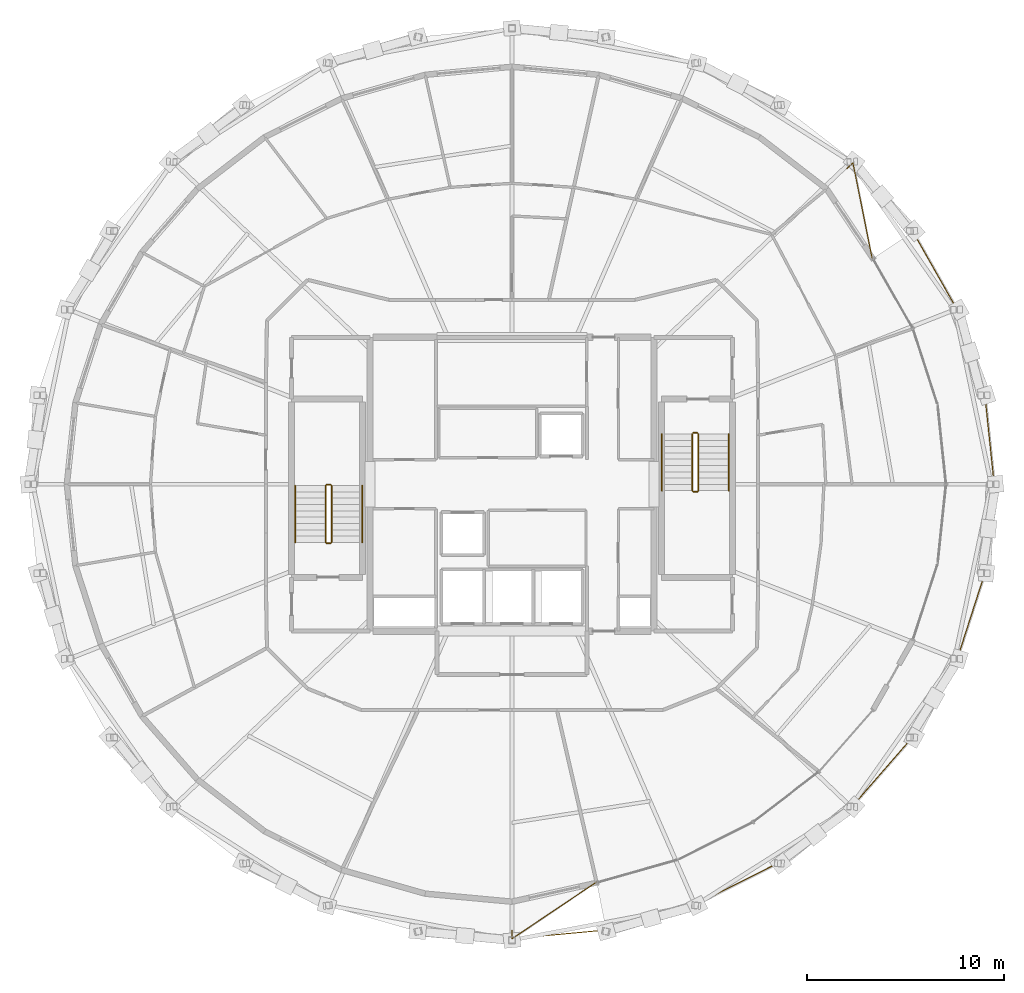
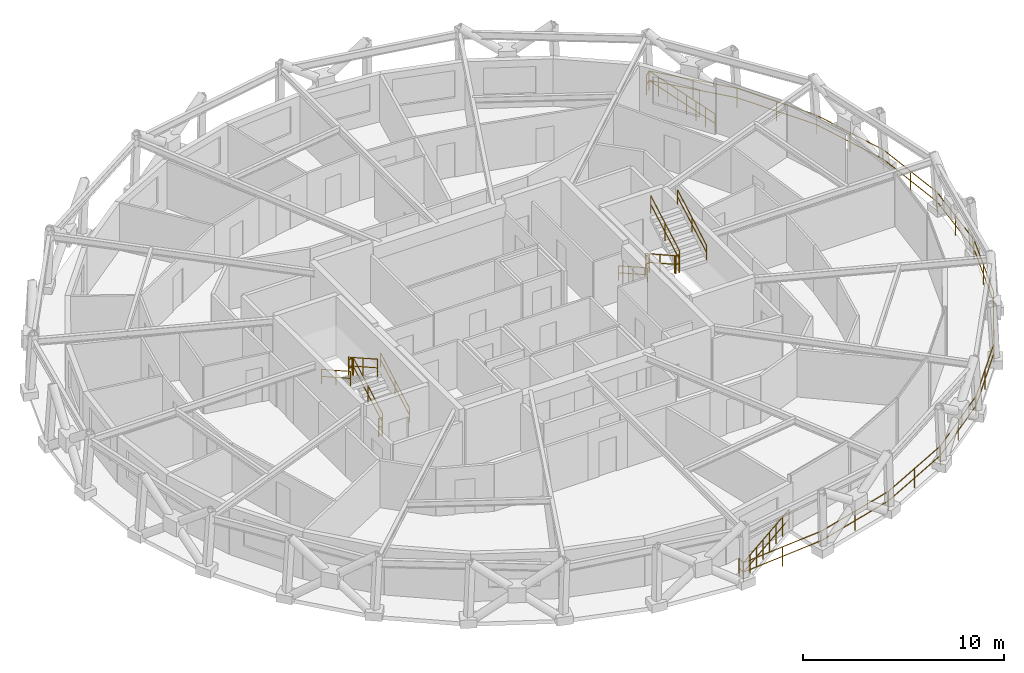
# One storey, part 17 of 17: 15 railings.
"""IFC4 building model written with IfcOpenShell, lengths in metres."""

from ifc_helpers import new_model, si_unit, direction, frame, origin, origin_2d, place, context, subcontext, project, spatial, circle, extrude, material, type_object, element, save


model = new_model("IFC4")

# Units and contexts
model_context = context("Model", 3, precision=1e-05, world=origin(), true_north=direction((0.0, 1.0)))
body_context = subcontext(model_context, "Body", "Model", "MODEL_VIEW")
ifc_project = project(units=[si_unit("LENGTHUNIT", "METRE"), si_unit("AREAUNIT", "SQUARE_METRE"), si_unit("VOLUMEUNIT", "CUBIC_METRE"), si_unit("PLANEANGLEUNIT", "RADIAN"), si_unit("MASSUNIT", "GRAM", prefix="KILO")], contexts=[model_context])

# Site, building, storey
site_placement = place(None, origin())
site = spatial("IfcSite", under=ifc_project, at=site_placement, CompositionType="ELEMENT")
building_placement = place(site_placement, origin())
building = spatial("IfcBuilding", under=site, at=building_placement, Name="Veldorina Hangang Commons", CompositionType="ELEMENT")
storey_placement = place(building_placement, frame((0.0, 0.0, 229.199951171875)))
storey = spatial("IfcBuildingStorey", under=building, at=storey_placement, Name="L59", CompositionType="ELEMENT", Elevation=229.199951171875)

# Railings
ifc_material_1 = material(Name="Glass Laminated Safety Balustrade", Category="glass")
railing_type_1 = type_object("IfcRailingType", Name="RL-BAL-LOGGIA", PredefinedType="BALUSTRADE", material=ifc_material_1)
railing_1_placement = place(storey_placement, frame((32.0, 1.36962890625, 0.0)))
element("IfcRailing", 1, at=railing_1_placement, inside=storey, type_object=railing_type_1, Name="L59 sky-garden loggia end balustrade A", PredefinedType="BALUSTRADE", context=body_context, shape_type="SweptSolid", body=[
    extrude(circle(Radius=0.02392578125, at=origin_2d()), frame((0.0, 0.0, 1.17578125), z_axis=(0.0, -1.0, 0.0), x_axis=(1.0, 0.0, 0.0)), (0.0, 0.0, 1.0), 0.419921875),
    extrude(circle(Radius=0.02392578125, at=origin_2d()), frame((0.0, 0.0, 0.60009765625), z_axis=(0.0, -1.0, 0.0), x_axis=(1.0, 0.0, 0.0)), (0.0, 0.0, 1.0), 0.419921875),
    extrude(circle(Radius=0.02392578125, at=origin_2d()), frame((0.0, -0.419921875, 1.17578125), z_axis=(0.830489671858, 0.557034024936, 0.0), x_axis=(-0.557034024936, 0.830489671858, 0.0)), (0.0, 0.0, 1.0), 5.161376953125),
    extrude(circle(Radius=0.02392578125, at=origin_2d()), frame((0.0, -0.419921875, 0.60009765625), z_axis=(0.830489671858, 0.557034024936, 0.0), x_axis=(-0.557034024936, 0.830489671858, 0.0)), (0.0, 0.0, 1.0), 5.161376953125),
    extrude(circle(Radius=0.02099609375, at=origin_2d()), origin(), (0.0, 0.0, 1.0), 1.15185546875),
    extrude(circle(Radius=0.02099609375, at=origin_2d()), frame((0.0, -0.419921875, 0.0)), (0.0, 0.0, 1.0), 1.15185546875),
    extrude(circle(Radius=0.02099609375, at=origin_2d()), frame((0.6123046875, -0.00927734375, 0.0)), (0.0, 0.0, 1.0), 1.15185546875),
    extrude(circle(Radius=0.02099609375, at=origin_2d()), frame((1.224609375, 0.401611328125, 0.0)), (0.0, 0.0, 1.0), 1.15185546875),
    extrude(circle(Radius=0.02099609375, at=origin_2d()), frame((1.8369140625, 0.812255859375, 0.0)), (0.0, 0.0, 1.0), 1.15185546875),
    extrude(circle(Radius=0.02099609375, at=origin_2d()), frame((2.449462890625, 1.222900390625, 0.0)), (0.0, 0.0, 1.0), 1.15185546875),
    extrude(circle(Radius=0.02099609375, at=origin_2d()), frame((3.061767578125, 1.633544921875, 0.0)), (0.0, 0.0, 1.0), 1.15185546875),
    extrude(circle(Radius=0.02099609375, at=origin_2d()), frame((3.674072265625, 2.04443359375, 0.0)), (0.0, 0.0, 1.0), 1.15185546875),
    extrude(circle(Radius=0.02099609375, at=origin_2d()), frame((4.286376953125, 2.455078125, 0.0)), (0.0, 0.0, 1.0), 1.15185546875),
])
railing_2_placement = place(storey_placement, frame((48.984375, 40.0126953125, 0.0)))
element("IfcRailing", 2, at=railing_2_placement, inside=storey, type_object=railing_type_1, Name="L59 sky-garden loggia end balustrade B", PredefinedType="BALUSTRADE", context=body_context, shape_type="SweptSolid", body=[
    extrude(circle(Radius=0.02392578125, at=origin_2d()), frame((0.0, 0.0, 1.17578125), z_axis=(0.72772201953, 0.68587219093, 0.0), x_axis=(-0.68587219093, 0.72772201953, 0.0)), (0.0, 0.0, 1.0), 0.419921875),
    extrude(circle(Radius=0.02392578125, at=origin_2d()), frame((0.0, 0.0, 0.60009765625), z_axis=(0.72772201953, 0.68587219093, 0.0), x_axis=(-0.68587219093, 0.72772201953, 0.0)), (0.0, 0.0, 1.0), 0.419921875),
    extrude(circle(Radius=0.02392578125, at=origin_2d()), frame((0.3056640625, 0.2880859375, 1.17578125), z_axis=(0.197212012862, -0.980360863143, 0.0), x_axis=(0.980360863143, 0.197212012862, 0.0)), (0.0, 0.0, 1.0), 4.96923828125),
    extrude(circle(Radius=0.02392578125, at=origin_2d()), frame((0.3056640625, 0.2880859375, 0.60009765625), z_axis=(0.197212012862, -0.980360863143, 0.0), x_axis=(0.980360863143, 0.197212012862, 0.0)), (0.0, 0.0, 1.0), 4.96923828125),
    extrude(circle(Radius=0.02099609375, at=origin_2d()), origin(), (0.0, 0.0, 1.0), 1.15185546875),
    extrude(circle(Radius=0.02099609375, at=origin_2d()), frame((0.3056640625, 0.2880859375, 0.0)), (0.0, 0.0, 1.0), 1.15185546875),
    extrude(circle(Radius=0.02099609375, at=origin_2d()), frame((0.445556640625, -0.407958984375, 0.0)), (0.0, 0.0, 1.0), 1.15185546875),
    extrude(circle(Radius=0.02099609375, at=origin_2d()), frame((0.585693359375, -1.103759765625, 0.0)), (0.0, 0.0, 1.0), 1.15185546875),
    extrude(circle(Radius=0.02099609375, at=origin_2d()), frame((0.7255859375, -1.7998046875, 0.0)), (0.0, 0.0, 1.0), 1.15185546875),
    extrude(circle(Radius=0.02099609375, at=origin_2d()), frame((0.86572265625, -2.49560546875, 0.0)), (0.0, 0.0, 1.0), 1.15185546875),
    extrude(circle(Radius=0.02099609375, at=origin_2d()), frame((1.005615234375, -3.191650390625, 0.0)), (0.0, 0.0, 1.0), 1.15185546875),
    extrude(circle(Radius=0.02099609375, at=origin_2d()), frame((1.145751953125, -3.887451171875, 0.0)), (0.0, 0.0, 1.0), 1.15185546875),
    extrude(circle(Radius=0.02099609375, at=origin_2d()), frame((1.28564453125, -4.58349609375, 0.0)), (0.0, 0.0, 1.0), 1.15185546875),
])
railing_3_placement = place(storey_placement, frame((32.0, 0.94970703125, 0.0)))
element("IfcRailing", 3, at=railing_3_placement, inside=storey, type_object=railing_type_1, Name="L59 sky-garden loggia outer balustrade", PredefinedType="BALUSTRADE", context=body_context, shape_type="SweptSolid", body=[
    extrude(circle(Radius=0.02392578125, at=origin_2d()), frame((0.0, 0.0, 1.17578125), z_axis=(0.995721850881, 0.092401275306, 0.0), x_axis=(-0.092401275306, 0.995721850881, 0.0)), (0.0, 0.0, 1.0), 4.790283203125),
    extrude(circle(Radius=0.02392578125, at=origin_2d()), frame((0.0, 0.0, 0.60009765625), z_axis=(0.995721850881, 0.092401275306, 0.0), x_axis=(-0.092401275306, 0.995721850881, 0.0)), (0.0, 0.0, 1.0), 4.790283203125),
    extrude(circle(Radius=0.02392578125, at=origin_2d()), frame((4.769775390625, 0.442626953125, 1.17578125), z_axis=(0.961483383075, 0.274863064216, 0.0), x_axis=(-0.274863064216, 0.961483383075, 0.0)), (0.0, 0.0, 1.0), 4.770751953125),
    extrude(circle(Radius=0.02392578125, at=origin_2d()), frame((4.769775390625, 0.442626953125, 0.60009765625), z_axis=(0.961483383075, 0.274863064216, 0.0), x_axis=(-0.274863064216, 0.961483383075, 0.0)), (0.0, 0.0, 1.0), 4.770751953125),
    extrude(circle(Radius=0.02392578125, at=origin_2d()), frame((9.356689453125, 1.75390625, 1.17578125), z_axis=(0.893071766026, 0.44991423708, 0.0), x_axis=(-0.44991423708, 0.893071766026, 0.0)), (0.0, 0.0, 1.0), 4.7333984375),
    extrude(circle(Radius=0.02392578125, at=origin_2d()), frame((9.356689453125, 1.75390625, 0.60009765625), z_axis=(0.893071766026, 0.44991423708, 0.0), x_axis=(-0.44991423708, 0.893071766026, 0.0)), (0.0, 0.0, 1.0), 4.7333984375),
    extrude(circle(Radius=0.02392578125, at=origin_2d()), frame((13.583984375, 3.883544921875, 1.17578125), z_axis=(0.79105802773, 0.611741119073, 0.0), x_axis=(-0.611741119073, 0.79105802773, 0.0)), (0.0, 0.0, 1.0), 4.684814453125),
    extrude(circle(Radius=0.02392578125, at=origin_2d()), frame((13.583984375, 3.883544921875, 0.60009765625), z_axis=(0.79105802773, 0.611741119073, 0.0), x_axis=(-0.611741119073, 0.79105802773, 0.0)), (0.0, 0.0, 1.0), 4.684814453125),
    extrude(circle(Radius=0.02392578125, at=origin_2d()), frame((17.2900390625, 6.74951171875, 1.17578125), z_axis=(0.656692750949, 0.754158226668, 0.0), x_axis=(-0.754158226668, 0.656692750949, 0.0)), (0.0, 0.0, 1.0), 4.631591796875),
    extrude(circle(Radius=0.02392578125, at=origin_2d()), frame((17.2900390625, 6.74951171875, 0.60009765625), z_axis=(0.656692750949, 0.754158226668, 0.0), x_axis=(-0.754158226668, 0.656692750949, 0.0)), (0.0, 0.0, 1.0), 4.631591796875),
    extrude(circle(Radius=0.02392578125, at=origin_2d()), frame((20.33154296875, 10.242431640625, 1.17578125), z_axis=(0.493364776501, 0.869822509083, 0.0), x_axis=(-0.869822509083, 0.493364776501, 0.0)), (0.0, 0.0, 1.0), 4.581787109375),
    extrude(circle(Radius=0.02392578125, at=origin_2d()), frame((20.33154296875, 10.242431640625, 0.60009765625), z_axis=(0.493364776501, 0.869822509083, 0.0), x_axis=(-0.869822509083, 0.493364776501, 0.0)), (0.0, 0.0, 1.0), 4.581787109375),
    extrude(circle(Radius=0.02392578125, at=origin_2d()), frame((22.592041015625, 14.227783203125, 1.17578125), z_axis=(0.306360537982, 0.95191555338, 0.0), x_axis=(-0.95191555338, 0.306360537982, 0.0)), (0.0, 0.0, 1.0), 4.543212890625),
    extrude(circle(Radius=0.02392578125, at=origin_2d()), frame((22.592041015625, 14.227783203125, 0.60009765625), z_axis=(0.306360537982, 0.95191555338, 0.0), x_axis=(-0.95191555338, 0.306360537982, 0.0)), (0.0, 0.0, 1.0), 4.543212890625),
    extrude(circle(Radius=0.02392578125, at=origin_2d()), frame((23.98388671875, 18.552490234375, 1.17578125), z_axis=(0.103976583067, 0.994579745507, 0.0), x_axis=(-0.994579745507, 0.103976583067, 0.0)), (0.0, 0.0, 1.0), 4.522216796875),
    extrude(circle(Radius=0.02392578125, at=origin_2d()), frame((23.98388671875, 18.552490234375, 0.60009765625), z_axis=(0.103976583067, 0.994579745507, 0.0), x_axis=(-0.994579745507, 0.103976583067, 0.0)), (0.0, 0.0, 1.0), 4.522216796875),
    extrude(circle(Radius=0.02392578125, at=origin_2d()), frame((24.4541015625, 23.05029296875, 1.17578125), z_axis=(-0.103976583067, 0.994579745507, 0.0), x_axis=(-0.994579745507, -0.103976583067, 0.0)), (0.0, 0.0, 1.0), 4.522216796875),
    extrude(circle(Radius=0.02392578125, at=origin_2d()), frame((24.4541015625, 23.05029296875, 0.60009765625), z_axis=(-0.103976583067, 0.994579745507, 0.0), x_axis=(-0.994579745507, -0.103976583067, 0.0)), (0.0, 0.0, 1.0), 4.522216796875),
    extrude(circle(Radius=0.02392578125, at=origin_2d()), frame((23.98388671875, 27.548095703125, 1.17578125), z_axis=(-0.306360537982, 0.95191555338, 0.0), x_axis=(-0.95191555338, -0.306360537982, 0.0)), (0.0, 0.0, 1.0), 4.543212890625),
    extrude(circle(Radius=0.02392578125, at=origin_2d()), frame((23.98388671875, 27.548095703125, 0.60009765625), z_axis=(-0.306360537982, 0.95191555338, 0.0), x_axis=(-0.95191555338, -0.306360537982, 0.0)), (0.0, 0.0, 1.0), 4.543212890625),
    extrude(circle(Radius=0.02392578125, at=origin_2d()), frame((22.592041015625, 31.872802734375, 1.17578125), z_axis=(-0.493364776501, 0.869822509083, 0.0), x_axis=(-0.869822509083, -0.493364776501, 0.0)), (0.0, 0.0, 1.0), 4.581787109375),
    extrude(circle(Radius=0.02392578125, at=origin_2d()), frame((22.592041015625, 31.872802734375, 0.60009765625), z_axis=(-0.493364776501, 0.869822509083, 0.0), x_axis=(-0.869822509083, -0.493364776501, 0.0)), (0.0, 0.0, 1.0), 4.581787109375),
    extrude(circle(Radius=0.02392578125, at=origin_2d()), frame((20.33154296875, 35.858154296875, 1.17578125), z_axis=(-0.656692750949, 0.754158226668, 0.0), x_axis=(-0.754158226668, -0.656692750949, 0.0)), (0.0, 0.0, 1.0), 4.631591796875),
    extrude(circle(Radius=0.02392578125, at=origin_2d()), frame((20.33154296875, 35.858154296875, 0.60009765625), z_axis=(-0.656692750949, 0.754158226668, 0.0), x_axis=(-0.754158226668, -0.656692750949, 0.0)), (0.0, 0.0, 1.0), 4.631591796875),
    extrude(circle(Radius=0.02099609375, at=origin_2d()), origin(), (0.0, 0.0, 1.0), 1.15185546875),
    extrude(circle(Radius=0.02099609375, at=origin_2d()), frame((2.384765625, 0.22119140625, 0.0)), (0.0, 0.0, 1.0), 1.15185546875),
    extrude(circle(Radius=0.02099609375, at=origin_2d()), frame((4.769775390625, 0.442626953125, 0.0)), (0.0, 0.0, 1.0), 1.15185546875),
    extrude(circle(Radius=0.02099609375, at=origin_2d()), frame((7.063232421875, 1.09814453125, 0.0)), (0.0, 0.0, 1.0), 1.15185546875),
    extrude(circle(Radius=0.02099609375, at=origin_2d()), frame((9.356689453125, 1.75390625, 0.0)), (0.0, 0.0, 1.0), 1.15185546875),
    extrude(circle(Radius=0.02099609375, at=origin_2d()), frame((11.47021484375, 2.81884765625, 0.0)), (0.0, 0.0, 1.0), 1.15185546875),
    extrude(circle(Radius=0.02099609375, at=origin_2d()), frame((13.583984375, 3.883544921875, 0.0)), (0.0, 0.0, 1.0), 1.15185546875),
    extrude(circle(Radius=0.02099609375, at=origin_2d()), frame((15.43701171875, 5.31640625, 0.0)), (0.0, 0.0, 1.0), 1.15185546875),
    extrude(circle(Radius=0.02099609375, at=origin_2d()), frame((17.2900390625, 6.74951171875, 0.0)), (0.0, 0.0, 1.0), 1.15185546875),
    extrude(circle(Radius=0.02099609375, at=origin_2d()), frame((18.810791015625, 8.49609375, 0.0)), (0.0, 0.0, 1.0), 1.15185546875),
    extrude(circle(Radius=0.02099609375, at=origin_2d()), frame((20.33154296875, 10.242431640625, 0.0)), (0.0, 0.0, 1.0), 1.15185546875),
    extrude(circle(Radius=0.02099609375, at=origin_2d()), frame((21.4619140625, 12.235107421875, 0.0)), (0.0, 0.0, 1.0), 1.15185546875),
    extrude(circle(Radius=0.02099609375, at=origin_2d()), frame((22.592041015625, 14.227783203125, 0.0)), (0.0, 0.0, 1.0), 1.15185546875),
    extrude(circle(Radius=0.02099609375, at=origin_2d()), frame((23.2880859375, 16.39013671875, 0.0)), (0.0, 0.0, 1.0), 1.15185546875),
    extrude(circle(Radius=0.02099609375, at=origin_2d()), frame((23.98388671875, 18.552490234375, 0.0)), (0.0, 0.0, 1.0), 1.15185546875),
    extrude(circle(Radius=0.02099609375, at=origin_2d()), frame((24.218994140625, 20.80126953125, 0.0)), (0.0, 0.0, 1.0), 1.15185546875),
    extrude(circle(Radius=0.02099609375, at=origin_2d()), frame((24.4541015625, 23.05029296875, 0.0)), (0.0, 0.0, 1.0), 1.15185546875),
    extrude(circle(Radius=0.02099609375, at=origin_2d()), frame((24.218994140625, 25.29931640625, 0.0)), (0.0, 0.0, 1.0), 1.15185546875),
    extrude(circle(Radius=0.02099609375, at=origin_2d()), frame((23.98388671875, 27.548095703125, 0.0)), (0.0, 0.0, 1.0), 1.15185546875),
    extrude(circle(Radius=0.02099609375, at=origin_2d()), frame((23.2880859375, 29.71044921875, 0.0)), (0.0, 0.0, 1.0), 1.15185546875),
    extrude(circle(Radius=0.02099609375, at=origin_2d()), frame((22.592041015625, 31.872802734375, 0.0)), (0.0, 0.0, 1.0), 1.15185546875),
    extrude(circle(Radius=0.02099609375, at=origin_2d()), frame((21.4619140625, 33.865478515625, 0.0)), (0.0, 0.0, 1.0), 1.15185546875),
    extrude(circle(Radius=0.02099609375, at=origin_2d()), frame((20.33154296875, 35.858154296875, 0.0)), (0.0, 0.0, 1.0), 1.15185546875),
    extrude(circle(Radius=0.02099609375, at=origin_2d()), frame((18.810791015625, 37.6044921875, 0.0)), (0.0, 0.0, 1.0), 1.15185546875),
    extrude(circle(Radius=0.02099609375, at=origin_2d()), frame((17.2900390625, 39.35107421875, 0.0)), (0.0, 0.0, 1.0), 1.15185546875),
])
ifc_material_2 = material(Name="Steel Painted Balustrade", Category="steel")
railing_type_2 = type_object("IfcRailingType", Name="RL-GRD-STAIR", PredefinedType="GUARDRAIL", material=ifc_material_2)
railing_4_placement = place(storey_placement, frame((22.85009765625, 21.050048828125, 0.179931640625)))
element("IfcRailing", 4, at=railing_4_placement, inside=storey, type_object=railing_type_2, Name="L59 ST-1 stair guard 1", PredefinedType="GUARDRAIL", context=body_context, shape_type="SweptSolid", body=[
    extrude(circle(Radius=0.02392578125, at=origin_2d()), frame((0.0, 0.0, 1.076171875), z_axis=(0.0, 0.87155185771, 0.490303333991), x_axis=(-1.0, 0.0, 0.0)), (0.0, 0.0, 1.0), 3.30419921875),
    extrude(circle(Radius=0.02392578125, at=origin_2d()), frame((0.0, 0.0, 0.550048828125), z_axis=(0.0, 0.87155185771, 0.490303333991), x_axis=(-1.0, 0.0, 0.0)), (0.0, 0.0, 1.0), 3.30419921875),
    extrude(circle(Radius=0.02099609375, at=origin_2d()), origin(), (0.0, 0.0, 1.0), 1.052001953125),
    extrude(circle(Radius=0.02099609375, at=origin_2d()), frame((0.0, 1.43994140625, 0.81005859375)), (0.0, 0.0, 1.0), 1.052001953125),
    extrude(circle(Radius=0.02099609375, at=origin_2d()), frame((0.0, 2.8798828125, 1.6201171875)), (0.0, 0.0, 1.0), 1.052001953125),
])
railing_5_placement = place(storey_placement, frame((22.800048828125, 23.97998046875, 1.800048828125)))
element("IfcRailing", 5, at=railing_5_placement, inside=storey, type_object=railing_type_2, Name="L59 ST-1 stair guard 2", PredefinedType="GUARDRAIL", context=body_context, shape_type="SweptSolid", body=[
    extrude(circle(Radius=0.02392578125, at=origin_2d()), frame((0.0, 0.0, 1.076171875), z_axis=(-1.0, 0.0, 0.0), x_axis=(0.0, -1.0, 0.0)), (0.0, 0.0, 1.0), 0.199951171875),
    extrude(circle(Radius=0.02392578125, at=origin_2d()), frame((0.0, 0.0, 0.550048828125), z_axis=(-1.0, 0.0, 0.0), x_axis=(0.0, -1.0, 0.0)), (0.0, 0.0, 1.0), 0.199951171875),
    extrude(circle(Radius=0.02099609375, at=origin_2d()), origin(), (0.0, 0.0, 1.0), 1.052001953125),
    extrude(circle(Radius=0.02099609375, at=origin_2d()), frame((-0.199951171875, 0.0, 0.0)), (0.0, 0.0, 1.0), 1.052001953125),
])
railing_6_placement = place(storey_placement, frame((22.550048828125, 23.929931640625, 1.97998046875)))
element("IfcRailing", 6, at=railing_6_placement, inside=storey, type_object=railing_type_2, Name="L59 ST-1 stair guard 3", PredefinedType="GUARDRAIL", context=body_context, shape_type="SweptSolid", body=[
    extrude(circle(Radius=0.02392578125, at=origin_2d()), frame((0.0, 0.0, 1.076171875), z_axis=(0.0, -0.87155185771, 0.490303333991), x_axis=(1.0, 0.0, 0.0)), (0.0, 0.0, 1.0), 3.30419921875),
    extrude(circle(Radius=0.02392578125, at=origin_2d()), frame((0.0, 0.0, 0.550048828125), z_axis=(0.0, -0.87155185771, 0.490303333991), x_axis=(1.0, 0.0, 0.0)), (0.0, 0.0, 1.0), 3.30419921875),
    extrude(circle(Radius=0.02099609375, at=origin_2d()), origin(), (0.0, 0.0, 1.0), 1.052001953125),
    extrude(circle(Radius=0.02099609375, at=origin_2d()), frame((0.0, -1.43994140625, 0.81005859375)), (0.0, 0.0, 1.0), 1.052001953125),
    extrude(circle(Radius=0.02099609375, at=origin_2d()), frame((0.0, -2.8798828125, 1.6201171875)), (0.0, 0.0, 1.0), 1.052001953125),
])
railing_7_placement = place(storey_placement, frame((22.800048828125, 21.0, 0.0)))
element("IfcRailing", 7, at=railing_7_placement, inside=storey, type_object=railing_type_2, Name="L59 ST-1 stair guard 4", PredefinedType="GUARDRAIL", context=body_context, shape_type="SweptSolid", body=[
    extrude(circle(Radius=0.02392578125, at=origin_2d()), frame((0.0, 0.0, 1.076171875), z_axis=(-1.0, 0.0, 0.0), x_axis=(0.0, -1.0, 0.0)), (0.0, 0.0, 1.0), 0.199951171875),
    extrude(circle(Radius=0.02392578125, at=origin_2d()), frame((0.0, 0.0, 0.550048828125), z_axis=(-1.0, 0.0, 0.0), x_axis=(0.0, -1.0, 0.0)), (0.0, 0.0, 1.0), 0.199951171875),
    extrude(circle(Radius=0.02099609375, at=origin_2d()), origin(), (0.0, 0.0, 1.0), 1.052001953125),
    extrude(circle(Radius=0.02099609375, at=origin_2d()), frame((-0.199951171875, 0.0, 0.0)), (0.0, 0.0, 1.0), 1.052001953125),
])
railing_8_placement = place(storey_placement, frame((41.14990234375, 26.550048828125, 0.179931640625)))
element("IfcRailing", 8, at=railing_8_placement, inside=storey, type_object=railing_type_2, Name="L59 ST-2 stair guard 1", PredefinedType="GUARDRAIL", context=body_context, shape_type="SweptSolid", body=[
    extrude(circle(Radius=0.02392578125, at=origin_2d()), frame((0.0, 0.0, 1.076171875), z_axis=(0.0, -0.871569617843, 0.490271762652), x_axis=(1.0, 0.0, 0.0)), (0.0, 0.0, 1.0), 3.304443359375),
    extrude(circle(Radius=0.02392578125, at=origin_2d()), frame((0.0, 0.0, 0.550048828125), z_axis=(0.0, -0.871569617843, 0.490271762652), x_axis=(1.0, 0.0, 0.0)), (0.0, 0.0, 1.0), 3.304443359375),
    extrude(circle(Radius=0.02099609375, at=origin_2d()), origin(), (0.0, 0.0, 1.0), 1.052001953125),
    extrude(circle(Radius=0.02099609375, at=origin_2d()), frame((0.0, -1.43994140625, 0.81005859375)), (0.0, 0.0, 1.0), 1.052001953125),
    extrude(circle(Radius=0.02099609375, at=origin_2d()), frame((0.0, -2.880126953125, 1.6201171875)), (0.0, 0.0, 1.0), 1.052001953125),
])
railing_9_placement = place(storey_placement, frame((41.199951171875, 23.6201171875, 1.800048828125)))
element("IfcRailing", 9, at=railing_9_placement, inside=storey, type_object=railing_type_2, Name="L59 ST-2 stair guard 2", PredefinedType="GUARDRAIL", context=body_context, shape_type="SweptSolid", body=[
    extrude(circle(Radius=0.02392578125, at=origin_2d()), frame((0.0, 0.0, 1.076171875), z_axis=(1.0, 0.0, 0.0), x_axis=(0.0, 1.0, 0.0)), (0.0, 0.0, 1.0), 0.199951171875),
    extrude(circle(Radius=0.02392578125, at=origin_2d()), frame((0.0, 0.0, 0.550048828125), z_axis=(1.0, 0.0, 0.0), x_axis=(0.0, 1.0, 0.0)), (0.0, 0.0, 1.0), 0.199951171875),
    extrude(circle(Radius=0.02099609375, at=origin_2d()), origin(), (0.0, 0.0, 1.0), 1.052001953125),
    extrude(circle(Radius=0.02099609375, at=origin_2d()), frame((0.199951171875, 0.0, 0.0)), (0.0, 0.0, 1.0), 1.052001953125),
])
railing_10_placement = place(storey_placement, frame((41.449951171875, 23.669921875, 1.97998046875)))
element("IfcRailing", 10, at=railing_10_placement, inside=storey, type_object=railing_type_2, Name="L59 ST-2 stair guard 3", PredefinedType="GUARDRAIL", context=body_context, shape_type="SweptSolid", body=[
    extrude(circle(Radius=0.02392578125, at=origin_2d()), frame((0.0, 0.0, 1.076171875), z_axis=(0.0, 0.871569617843, 0.490271762652), x_axis=(-1.0, 0.0, 0.0)), (0.0, 0.0, 1.0), 3.304443359375),
    extrude(circle(Radius=0.02392578125, at=origin_2d()), frame((0.0, 0.0, 0.550048828125), z_axis=(0.0, 0.871569617843, 0.490271762652), x_axis=(-1.0, 0.0, 0.0)), (0.0, 0.0, 1.0), 3.304443359375),
    extrude(circle(Radius=0.02099609375, at=origin_2d()), origin(), (0.0, 0.0, 1.0), 1.052001953125),
    extrude(circle(Radius=0.02099609375, at=origin_2d()), frame((0.0, 1.43994140625, 0.81005859375)), (0.0, 0.0, 1.0), 1.052001953125),
    extrude(circle(Radius=0.02099609375, at=origin_2d()), frame((0.0, 2.880126953125, 1.6201171875)), (0.0, 0.0, 1.0), 1.052001953125),
])
railing_11_placement = place(storey_placement, frame((41.199951171875, 26.60009765625, 0.0)))
element("IfcRailing", 11, at=railing_11_placement, inside=storey, type_object=railing_type_2, Name="L59 ST-2 stair guard 4", PredefinedType="GUARDRAIL", context=body_context, shape_type="SweptSolid", body=[
    extrude(circle(Radius=0.02392578125, at=origin_2d()), frame((0.0, 0.0, 1.076171875), z_axis=(1.0, 0.0, 0.0), x_axis=(0.0, 1.0, 0.0)), (0.0, 0.0, 1.0), 0.199951171875),
    extrude(circle(Radius=0.02392578125, at=origin_2d()), frame((0.0, 0.0, 0.550048828125), z_axis=(1.0, 0.0, 0.0), x_axis=(0.0, 1.0, 0.0)), (0.0, 0.0, 1.0), 0.199951171875),
    extrude(circle(Radius=0.02099609375, at=origin_2d()), origin(), (0.0, 0.0, 1.0), 1.052001953125),
    extrude(circle(Radius=0.02099609375, at=origin_2d()), frame((0.199951171875, 0.0, 0.0)), (0.0, 0.0, 1.0), 1.052001953125),
])
ifc_material_3 = material(Name="Stainless Steel Brushed 316", Category="steel")
railing_type_3 = type_object("IfcRailingType", Name="RL-HND-STAIR", PredefinedType="HANDRAIL", material=ifc_material_3)
railing_12_placement = place(storey_placement, frame((24.39990234375, 21.050048828125, 0.179931640625)))
element("IfcRailing", 12, at=railing_12_placement, inside=storey, type_object=railing_type_3, Name="L59 ST-1 stair handrail 1", PredefinedType="HANDRAIL", context=body_context, shape_type="SweptSolid", body=[
    extrude(circle(Radius=0.02392578125, at=origin_2d()), frame((0.0, 0.0, 0.8759765625), z_axis=(0.0, 0.87155185771, 0.490303333991), x_axis=(-1.0, 0.0, 0.0)), (0.0, 0.0, 1.0), 3.30419921875),
    extrude(circle(Radius=0.02392578125, at=origin_2d()), frame((0.0, 0.0, 0.449951171875), z_axis=(0.0, 0.87155185771, 0.490303333991), x_axis=(-1.0, 0.0, 0.0)), (0.0, 0.0, 1.0), 3.30419921875),
    extrude(circle(Radius=0.02099609375, at=origin_2d()), origin(), (0.0, 0.0, 1.0), 0.851806640625),
    extrude(circle(Radius=0.02099609375, at=origin_2d()), frame((0.0, 1.43994140625, 0.81005859375)), (0.0, 0.0, 1.0), 0.851806640625),
    extrude(circle(Radius=0.02099609375, at=origin_2d()), frame((0.0, 2.8798828125, 1.6201171875)), (0.0, 0.0, 1.0), 0.851806640625),
])
railing_13_placement = place(storey_placement, frame((21.0, 23.929931640625, 1.97998046875)))
element("IfcRailing", 13, at=railing_13_placement, inside=storey, type_object=railing_type_3, Name="L59 ST-1 stair handrail 2", PredefinedType="HANDRAIL", context=body_context, shape_type="SweptSolid", body=[
    extrude(circle(Radius=0.02392578125, at=origin_2d()), frame((0.0, 0.0, 0.8759765625), z_axis=(0.0, -0.87155185771, 0.490303333991), x_axis=(1.0, 0.0, 0.0)), (0.0, 0.0, 1.0), 3.30419921875),
    extrude(circle(Radius=0.02392578125, at=origin_2d()), frame((0.0, 0.0, 0.449951171875), z_axis=(0.0, -0.87155185771, 0.490303333991), x_axis=(1.0, 0.0, 0.0)), (0.0, 0.0, 1.0), 3.30419921875),
    extrude(circle(Radius=0.02099609375, at=origin_2d()), origin(), (0.0, 0.0, 1.0), 0.851806640625),
    extrude(circle(Radius=0.02099609375, at=origin_2d()), frame((0.0, -1.43994140625, 0.81005859375)), (0.0, 0.0, 1.0), 0.851806640625),
    extrude(circle(Radius=0.02099609375, at=origin_2d()), frame((0.0, -2.8798828125, 1.6201171875)), (0.0, 0.0, 1.0), 0.851806640625),
])
railing_14_placement = place(storey_placement, frame((39.60009765625, 26.550048828125, 0.179931640625)))
element("IfcRailing", 14, at=railing_14_placement, inside=storey, type_object=railing_type_3, Name="L59 ST-2 stair handrail 1", PredefinedType="HANDRAIL", context=body_context, shape_type="SweptSolid", body=[
    extrude(circle(Radius=0.02392578125, at=origin_2d()), frame((0.0, 0.0, 0.8759765625), z_axis=(0.0, -0.871569617843, 0.490271762652), x_axis=(1.0, 0.0, 0.0)), (0.0, 0.0, 1.0), 3.304443359375),
    extrude(circle(Radius=0.02392578125, at=origin_2d()), frame((0.0, 0.0, 0.449951171875), z_axis=(0.0, -0.871569617843, 0.490271762652), x_axis=(1.0, 0.0, 0.0)), (0.0, 0.0, 1.0), 3.304443359375),
    extrude(circle(Radius=0.02099609375, at=origin_2d()), origin(), (0.0, 0.0, 1.0), 0.851806640625),
    extrude(circle(Radius=0.02099609375, at=origin_2d()), frame((0.0, -1.43994140625, 0.81005859375)), (0.0, 0.0, 1.0), 0.851806640625),
    extrude(circle(Radius=0.02099609375, at=origin_2d()), frame((0.0, -2.880126953125, 1.6201171875)), (0.0, 0.0, 1.0), 0.851806640625),
])
railing_15_placement = place(storey_placement, frame((43.0, 23.669921875, 1.97998046875)))
element("IfcRailing", 15, at=railing_15_placement, inside=storey, type_object=railing_type_3, Name="L59 ST-2 stair handrail 2", PredefinedType="HANDRAIL", context=body_context, shape_type="SweptSolid", body=[
    extrude(circle(Radius=0.02392578125, at=origin_2d()), frame((0.0, 0.0, 0.8759765625), z_axis=(0.0, 0.871569617843, 0.490271762652), x_axis=(-1.0, 0.0, 0.0)), (0.0, 0.0, 1.0), 3.304443359375),
    extrude(circle(Radius=0.02392578125, at=origin_2d()), frame((0.0, 0.0, 0.449951171875), z_axis=(0.0, 0.871569617843, 0.490271762652), x_axis=(-1.0, 0.0, 0.0)), (0.0, 0.0, 1.0), 3.304443359375),
    extrude(circle(Radius=0.02099609375, at=origin_2d()), origin(), (0.0, 0.0, 1.0), 0.851806640625),
    extrude(circle(Radius=0.02099609375, at=origin_2d()), frame((0.0, 1.43994140625, 0.81005859375)), (0.0, 0.0, 1.0), 0.851806640625),
    extrude(circle(Radius=0.02099609375, at=origin_2d()), frame((0.0, 2.880126953125, 1.6201171875)), (0.0, 0.0, 1.0), 0.851806640625),
])

save(model, "model.ifc")
